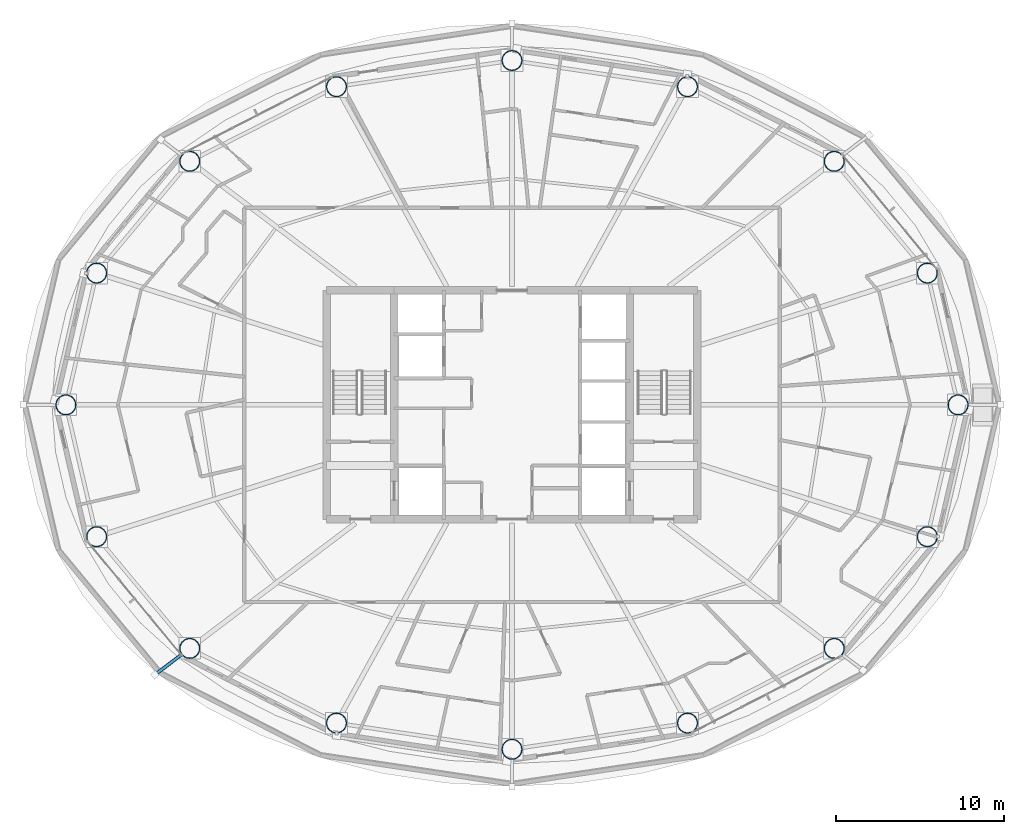
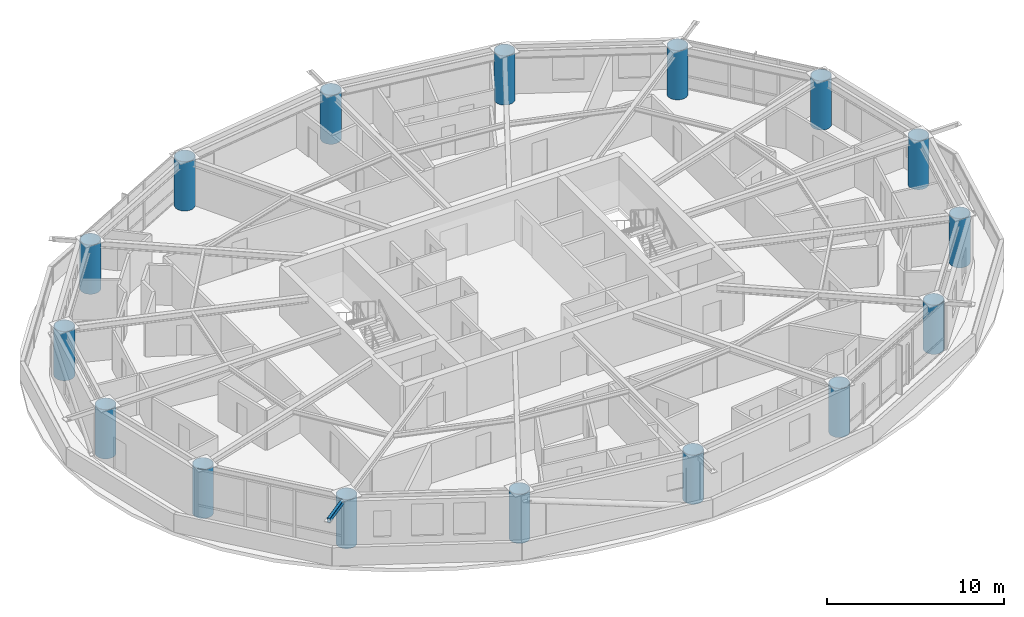
# One storey, part 1 of 27: 16 columns, 1 member.
"""IFC4 building model written with IfcOpenShell, lengths in metres."""

from ifc_helpers import new_model, si_unit, direction, frame, origin, origin_2d, place, context, subcontext, project, spatial, hollow_rectangle, hollow_circle, extrude, material, material_profile, profile_set, type_object, element, save


model = new_model("IFC4")

# Units and contexts
model_context = context("Model", 3, precision=1e-05, world=origin(), true_north=direction((0.0, 1.0)))
body_context = subcontext(model_context, "Body", "Model", "MODEL_VIEW")
ifc_project = project(units=[si_unit("LENGTHUNIT", "METRE"), si_unit("AREAUNIT", "SQUARE_METRE"), si_unit("VOLUMEUNIT", "CUBIC_METRE"), si_unit("PLANEANGLEUNIT", "RADIAN"), si_unit("MASSUNIT", "GRAM", prefix="KILO")], contexts=[model_context])

# Site, building, storey
site_placement = place(None, origin())
site = spatial("IfcSite", under=ifc_project, at=site_placement, CompositionType="ELEMENT")
building_placement = place(site_placement, origin())
building = spatial("IfcBuilding", under=site, at=building_placement, Name="Sarneth Arch Tower", CompositionType="ELEMENT")
storey_placement = place(building_placement, frame((0.0, 0.0, 150.60009765625)))
storey = spatial("IfcBuildingStorey", under=building, at=storey_placement, Name="L37", CompositionType="ELEMENT", Elevation=150.60009765625)

# Columns
ifc_material_1 = material(Name="Steel S355", Category="steel")
ifc_material_profile_1 = material_profile(ifc_material_1, hollow_circle(Radius=0.60009765625, WallThickness=0.031982421875, at=origin_2d()), Name="CHS1200x32")
ifc_profile_set_1 = profile_set([ifc_material_profile_1], Name="Steel S355")
column_type = type_object("IfcColumnType", Name="COL-MEGA-1200", PredefinedType="COLUMN", material=ifc_profile_set_1)
for number, where, z_axis, x_axis, name in (
    (1, (74.487060546875, 42.0, 0.0), (0.0, 0.0, 1.0), (1.0, 0.0, 0.0), "L37 Perimeter mega-column M01"),
    (2, (72.662109375, 49.825927734375, 0.0), (0.0, 0.0, 1.0), (1.0, 0.0, 0.0), "L37 Perimeter mega-column M02"),
    (3, (67.1337890625, 56.46044921875, 0.0), (0.0, 0.0, 1.0), (1.0, 0.0, 0.0), "L37 Perimeter mega-column M03"),
    (4, (58.421875, 60.893310546875, 0.0), (0.0, 0.0, 1.0), (1.0, 0.0, 0.0), "L37 Perimeter mega-column M04"),
    (5, (48.0, 62.449951171875, 0.0), (0.0, 0.0, 1.0), (1.0, 0.0, 0.0), "L37 Perimeter mega-column M05"),
    (6, (37.578125, 60.893310546875, 0.0), (0.0, 0.0, 1.0), (1.0, 0.0, 0.0), "L37 Perimeter mega-column M06"),
    (7, (28.8662109375, 56.46044921875, 0.0), (0.0, 0.0, 1.0), (1.0, 0.0, 0.0), "L37 Perimeter mega-column M07"),
    (8, (23.337890625, 49.825927734375, 0.0), (0.0, 0.0, 1.0), (1.0, 0.0, 0.0), "L37 Perimeter mega-column M08"),
    (9, (21.512939453125, 42.0, 0.0), (0.0, 0.0, 1.0), (1.0, 0.0, 0.0), "L37 Perimeter mega-column M09"),
    (10, (23.337890625, 34.174072265625, 0.0), (0.0, 0.0, 1.0), (1.0, 0.0, 0.0), "L37 Perimeter mega-column M10"),
    (11, (28.8662109375, 27.53955078125, 0.0), (0.0, 0.0, 1.0), (1.0, 0.0, 0.0), "L37 Perimeter mega-column M11"),
    (12, (37.578125, 23.106689453125, 0.0), (0.0, 0.0, 1.0), (1.0, 0.0, 0.0), "L37 Perimeter mega-column M12"),
    (13, (48.0, 21.550048828125, 0.0), (0.0, 0.0, 1.0), (1.0, 0.0, 0.0), "L37 Perimeter mega-column M13"),
    (14, (58.421875, 23.106689453125, 0.0), (0.0, 0.0, 1.0), (1.0, 0.0, 0.0), "L37 Perimeter mega-column M14"),
    (15, (67.1337890625, 27.53955078125, 0.0), (0.0, 0.0, 1.0), (1.0, 0.0, 0.0), "L37 Perimeter mega-column M15"),
    (16, (72.662109375, 34.174072265625, 0.0), (0.0, 0.0, 1.0), (1.0, 0.0, 0.0), "L37 Perimeter mega-column M16"),
):
    element("IfcColumn", number, at=place(storey_placement, frame(where, z_axis=z_axis, x_axis=x_axis)), inside=storey, type_object=column_type, Name=name, PredefinedType="COLUMN", context=body_context, shape_type="SweptSolid", body=[
        extrude(hollow_circle(Radius=0.60009765625, WallThickness=0.031982421875, at=origin_2d()), origin(), (0.0, 0.0, 1.0), 3.3798828125),
    ])

# Member
ifc_material_2 = material(Name="Steel S355", Category="steel")
ifc_material_profile_2 = material_profile(ifc_material_2, hollow_rectangle(XDim=0.199951171875, YDim=0.300048828125, WallThickness=0.012451171875, InnerFilletRadius=0.018798828125, OuterFilletRadius=0.03125, at=origin_2d()), Name="RHS300x200x12.5")
ifc_profile_set_2 = profile_set([ifc_material_profile_2], Name="Steel S355")
member_type = type_object("IfcMemberType", Name="MEM-CANT-STRUT", PredefinedType="STRUT", material=ifc_profile_set_2)
member_placement = place(storey_placement, frame((28.387451171875, 27.177978515625, 3.219970703125), z_axis=(-0.797779785, -0.602948932037, 0.0), x_axis=(0.602948932037, -0.797779785, 0.0)))
element("IfcMember", 17, at=member_placement, inside=storey, type_object=member_type, Name="L37 Balcony cantilever bracket 11", PredefinedType="STRUT", context=body_context, shape_type="SweptSolid", body=[
    extrude(hollow_rectangle(XDim=0.199951171875, YDim=0.300048828125, WallThickness=0.012451171875, InnerFilletRadius=0.018798828125, OuterFilletRadius=0.03125, at=origin_2d()), origin(), (0.0, 0.0, 1.0), 1.997314453125),
])

save(model, "model.ifc")
